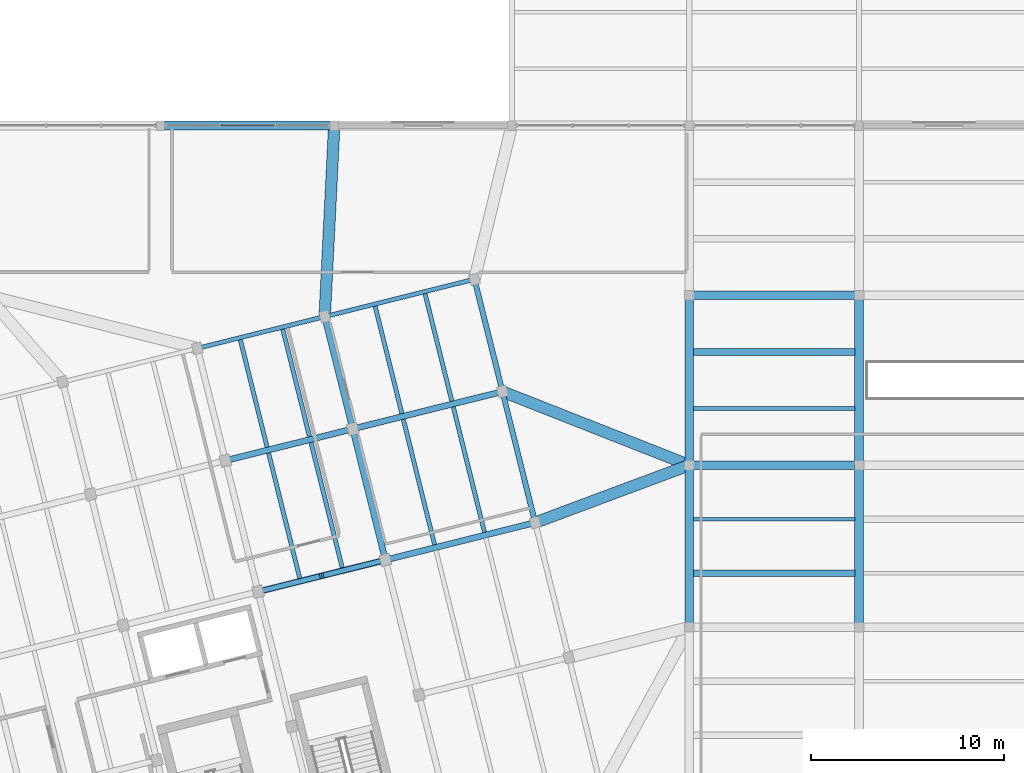
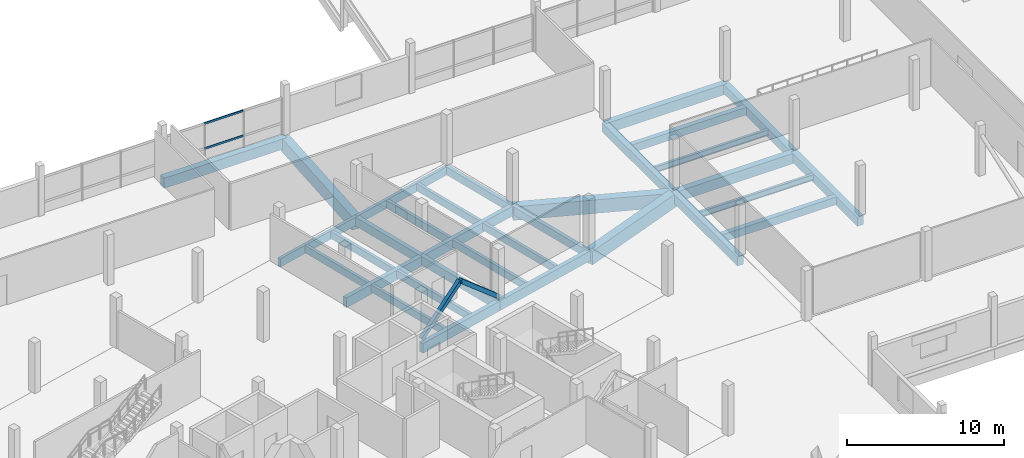
# One storey, part 38 of 62: 32 beams, 4 members, 1 element without a shape of its own.
"""IFC4 building model written with IfcOpenShell, lengths in metres."""

from ifc_helpers import new_model, si_unit, direction, frame, origin, origin_2d, place, context, subcontext, project, spatial, rectangle, hollow_rectangle, i_section, extrude, material, layer, layer_set, material_profile, profile_set, type_object, element, aggregate, save


model = new_model("IFC4")

# Units and contexts
model_context = context("Model", 3, precision=1e-05, world=origin(), true_north=direction((0.0, 1.0)))
body_context = subcontext(model_context, "Body", "Model", "MODEL_VIEW")
ifc_project = project(units=[si_unit("LENGTHUNIT", "METRE"), si_unit("AREAUNIT", "SQUARE_METRE"), si_unit("VOLUMEUNIT", "CUBIC_METRE"), si_unit("PLANEANGLEUNIT", "RADIAN"), si_unit("MASSUNIT", "GRAM", prefix="KILO")], contexts=[model_context])

# Site, building, storey
site_placement = place(None, origin())
site = spatial("IfcSite", under=ifc_project, at=site_placement, CompositionType="ELEMENT")
building_placement = place(site_placement, origin())
building = spatial("IfcBuilding", under=site, at=building_placement, Name="Meriwether Solvik Hall", CompositionType="ELEMENT")
storey_placement = place(building_placement, frame((0.0, 0.0, 14.39990234375)))
storey = spatial("IfcBuildingStorey", under=building, at=storey_placement, Name="L03", CompositionType="ELEMENT", Elevation=14.39990234375)

# Beams
ifc_material_1 = material(Name="Glulam Douglas-Fir 24F-V8 GL28h", Category="wood")
ifc_material_profile_1 = material_profile(ifc_material_1, rectangle(XDim=0.221923828125, YDim=0.64501953125, at=origin_2d()), Name="GLB-222X645")
ifc_profile_set_1 = profile_set([ifc_material_profile_1], Name="Glulam Douglas-Fir 24F-V8 GL28h")
beam_type_1 = type_object("IfcBeamType", Name="BM-GL-222X645", PredefinedType="SPANDREL", material=ifc_profile_set_1)
beam_1_placement = place(storey_placement, frame((88.707275390625, 81.254150390625, -0.5673828125), z_axis=(0.970298579828, 0.24191045034, 0.0), x_axis=(-0.24191045034, 0.970298579828, 0.0)))
element("IfcBeam", 1, at=beam_1_placement, inside=storey, type_object=beam_type_1, Name="Tower Girder TF:T5-T6 (L03)", PredefinedType="SPANDREL", context=body_context, shape_type="SweptSolid", body=[
    extrude(rectangle(XDim=0.221923828125, YDim=0.64501953125, at=origin_2d()), origin(), (0.0, 0.0, 1.0), 6.800048828125),
])
beam_2_placement = place(storey_placement, frame((95.305419921875, 82.899169921875, -0.5673828125), z_axis=(0.970289525963, 0.24194676234, 0.0), x_axis=(-0.24194676234, 0.970289525963, 0.0)))
element("IfcBeam", 2, at=beam_2_placement, inside=storey, type_object=beam_type_1, Name="Tower Girder TF:T6-T7 (L03)", PredefinedType="SPANDREL", context=body_context, shape_type="SweptSolid", body=[
    extrude(rectangle(XDim=0.221923828125, YDim=0.64501953125, at=origin_2d()), origin(), (0.0, 0.0, 1.0), 8.0),
])
ifc_material_2 = material(Name="Glulam Douglas-Fir 24F-V8 GL28h", Category="wood")
ifc_material_profile_2 = material_profile(ifc_material_2, rectangle(XDim=0.27294921875, YDim=0.610107421875, at=origin_2d()), Name="GLB-273X610")
ifc_profile_set_2 = profile_set([ifc_material_profile_2], Name="Glulam Douglas-Fir 24F-V8 GL28h")
beam_type_2 = type_object("IfcBeamType", Name="BM-GL-273X610", PredefinedType="SPANDREL", material=ifc_profile_set_2)
beam_3_placement = place(storey_placement, frame((106.212646484375, 72.220703125, -0.5498046875), z_axis=(-0.241903692719, 0.970300264582, 0.0), x_axis=(-0.970300264582, -0.241903692719, 0.0)))
element("IfcBeam", 3, at=beam_3_placement, inside=storey, type_object=beam_type_2, Name="Tower Girder T7:TD-TE (L03)", PredefinedType="SPANDREL", context=body_context, shape_type="SweptSolid", body=[
    extrude(rectangle(XDim=0.27294921875, YDim=0.610107421875, at=origin_2d()), origin(), (0.0, 0.0, 1.0), 7.000244140625),
])
beam_4_placement = place(storey_placement, frame((104.519287109375, 79.012939453125, -0.5498046875), z_axis=(-0.241941986192, 0.970290716908, 0.0), x_axis=(-0.970290716908, -0.241941986192, 0.0)))
element("IfcBeam", 4, at=beam_4_placement, inside=storey, type_object=beam_type_2, Name="Tower Girder T7:TE-TF (L03)", PredefinedType="SPANDREL", context=body_context, shape_type="SweptSolid", body=[
    extrude(rectangle(XDim=0.27294921875, YDim=0.610107421875, at=origin_2d()), origin(), (0.0, 0.0, 1.0), 6.0),
])
ifc_material_3 = material(Name="Glulam Douglas-Fir 24F-V8 GL28h", Category="wood")
ifc_material_profile_3 = material_profile(ifc_material_3, rectangle(XDim=0.31494140625, YDim=0.68505859375, at=origin_2d()), Name="GLB-315X685")
ifc_profile_set_3 = profile_set([ifc_material_profile_3], Name="Glulam Douglas-Fir 24F-V8 GL28h")
beam_type_3 = type_object("IfcBeamType", Name="BM-GL-315X685", PredefinedType="BEAM", material=ifc_profile_set_3)
beam_5_placement = place(storey_placement, frame((98.4501953125, 70.285400390625, -0.58740234375), z_axis=(-0.241911879182, 0.970298223594, 0.0), x_axis=(-0.970298223594, -0.241911879182, 0.0)))
element("IfcBeam", 5, at=beam_5_placement, inside=storey, type_object=beam_type_3, Name="Tower Girder T6:TD-TE (L03)", PredefinedType="BEAM", context=body_context, shape_type="SweptSolid", body=[
    extrude(rectangle(XDim=0.31494140625, YDim=0.68505859375, at=origin_2d()), origin(), (0.0, 0.0, 1.0), 7.0),
])
beam_6_placement = place(storey_placement, frame((96.7568359375, 77.077392578125, -0.58740234375), z_axis=(-0.241903677572, 0.970300268359, 0.0), x_axis=(-0.970300268359, -0.241903677572, 0.0)))
element("IfcBeam", 6, at=beam_6_placement, inside=storey, type_object=beam_type_3, Name="Tower Girder T6:TE-TF (L03)", PredefinedType="BEAM", context=body_context, shape_type="SweptSolid", body=[
    extrude(rectangle(XDim=0.31494140625, YDim=0.68505859375, at=origin_2d()), origin(), (0.0, 0.0, 1.0), 6.0),
])
ifc_material_4 = material(Name="Glulam Douglas-Fir 24F-V8 GL28h", Category="wood")
ifc_material_profile_4 = material_profile(ifc_material_4, rectangle(XDim=0.31494140625, YDim=0.760009765625, at=origin_2d()), Name="GLB-315X760")
ifc_profile_set_4 = profile_set([ifc_material_profile_4], Name="Glulam Douglas-Fir 24F-V8 GL28h")
beam_type_4 = type_object("IfcBeamType", Name="BM-GL-315X760", PredefinedType="BEAM", material=ifc_profile_set_4)
beam_7_placement = place(storey_placement, frame((91.852294921875, 68.640380859375, -0.625), z_axis=(0.970296478685, 0.241918877831, 0.0), x_axis=(-0.241918877831, 0.970296478685, 0.0)))
element("IfcBeam", 7, at=beam_7_placement, inside=storey, type_object=beam_type_4, Name="Tower Girder TD:T5-T6 (L03)", PredefinedType="BEAM", context=body_context, shape_type="SweptSolid", body=[
    extrude(rectangle(XDim=0.31494140625, YDim=0.760009765625, at=origin_2d()), origin(), (0.0, 0.0, 1.0), 6.7998046875),
])
beam_8_placement = place(storey_placement, frame((98.4501953125, 70.285400390625, -0.625), z_axis=(0.970298475929, 0.241910867076, 0.0), x_axis=(-0.241910867076, 0.970298475929, 0.0)))
element("IfcBeam", 8, at=beam_8_placement, inside=storey, type_object=beam_type_4, Name="Tower Girder TD:T6-T7 (L03)", PredefinedType="BEAM", context=body_context, shape_type="SweptSolid", body=[
    extrude(rectangle(XDim=0.31494140625, YDim=0.760009765625, at=origin_2d()), origin(), (0.0, 0.0, 1.0), 8.0),
])
beam_9_placement = place(storey_placement, frame((90.158935546875, 75.432373046875, -0.625), z_axis=(0.970296478685, 0.241918877831, 0.0), x_axis=(-0.241918877831, 0.970296478685, 0.0)))
element("IfcBeam", 9, at=beam_9_placement, inside=storey, type_object=beam_type_4, Name="Tower Girder TE:T5-T6 (L03)", PredefinedType="BEAM", context=body_context, shape_type="SweptSolid", body=[
    extrude(rectangle(XDim=0.31494140625, YDim=0.760009765625, at=origin_2d()), origin(), (0.0, 0.0, 1.0), 6.7998046875),
])
beam_10_placement = place(storey_placement, frame((96.7568359375, 77.077392578125, -0.625), z_axis=(0.970291312354, 0.241939598187, 0.0), x_axis=(-0.241939598187, 0.970291312354, 0.0)))
element("IfcBeam", 10, at=beam_10_placement, inside=storey, type_object=beam_type_4, Name="Tower Girder TE:T6-T7 (L03)", PredefinedType="BEAM", context=body_context, shape_type="SweptSolid", body=[
    extrude(rectangle(XDim=0.31494140625, YDim=0.760009765625, at=origin_2d()), origin(), (0.0, 0.0, 1.0), 8.000244140625),
])
ifc_material_5 = material(Name="Concrete C40/50", Category="concrete")
ifc_material_profile_5 = material_profile(ifc_material_5, rectangle(XDim=0.35009765625, YDim=0.60009765625, at=origin_2d()), Name="RCB-350X600")
ifc_profile_set_5 = profile_set([ifc_material_profile_5], Name="Concrete C40/50")
beam_type_5 = type_object("IfcBeamType", Name="BM-RC-350X600", PredefinedType="JOIST", material=ifc_profile_set_5)
for number, where, z_axis, x_axis, name in (
    (11, (114.419921875, 69.60009765625, -0.544921875), (1.0, 0.0, 0.0), (0.0, 1.0, 0.0), "Secondary Floor Joist 13/H_J1 (L03)"),
    (12, (114.419921875, 81.066650390625, -0.544921875), (1.0, 0.0, 0.0), (0.0, 1.0, 0.0), "Secondary Floor Joist 13/I_J2 (L03)"),
):
    element("IfcBeam", number, at=place(storey_placement, frame(where, z_axis=z_axis, x_axis=x_axis)), inside=storey, type_object=beam_type_5, Name=name, PredefinedType="JOIST", context=body_context, shape_type="SweptSolid", body=[
        extrude(rectangle(XDim=0.35009765625, YDim=0.60009765625, at=origin_2d()), origin(), (0.0, 0.0, 1.0), 8.360107421875),
    ])
ifc_material_6 = material(Name="Concrete C40/50", Category="concrete")
ifc_material_profile_6 = material_profile(ifc_material_6, rectangle(XDim=0.449951171875, YDim=0.699951171875, at=origin_2d()), Name="RCB-450X700")
ifc_profile_set_6 = profile_set([ifc_material_profile_6], Name="Concrete C40/50")
beam_type_6 = type_object("IfcBeamType", Name="BM-RC-450X700", PredefinedType="BEAM", material=ifc_profile_set_6)
beam_11_placement = place(storey_placement, frame((114.199951171875, 66.800048828125, -0.594970703125), z_axis=(0.0, 1.0, 0.0), x_axis=(-1.0, 0.0, 0.0)))
element("IfcBeam", 13, at=beam_11_placement, inside=storey, type_object=beam_type_6, Name="Podium Girder 13:H-I (L03)", PredefinedType="BEAM", context=body_context, shape_type="SweptSolid", body=[
    extrude(rectangle(XDim=0.449951171875, YDim=0.699951171875, at=origin_2d()), origin(), (0.0, 0.0, 1.0), 8.39990234375),
])
beam_12_placement = place(storey_placement, frame((114.199951171875, 75.199951171875, -0.594970703125), z_axis=(0.0, 1.0, 0.0), x_axis=(-1.0, 0.0, 0.0)))
element("IfcBeam", 14, at=beam_12_placement, inside=storey, type_object=beam_type_6, Name="Podium Girder 13:I-J (L03)", PredefinedType="BEAM", context=body_context, shape_type="SweptSolid", body=[
    extrude(rectangle(XDim=0.449951171875, YDim=0.699951171875, at=origin_2d()), origin(), (0.0, 0.0, 1.0), 8.800048828125),
])
beam_13_placement = place(storey_placement, frame((123.0, 66.800048828125, -0.594970703125), z_axis=(0.0, 1.0, 0.0), x_axis=(-1.0, 0.0, 0.0)))
element("IfcBeam", 15, at=beam_13_placement, inside=storey, type_object=beam_type_6, Name="Podium Girder 14:H-I (L03)", PredefinedType="BEAM", context=body_context, shape_type="SweptSolid", body=[
    extrude(rectangle(XDim=0.449951171875, YDim=0.699951171875, at=origin_2d()), origin(), (0.0, 0.0, 1.0), 8.39990234375),
])
beam_14_placement = place(storey_placement, frame((123.0, 75.199951171875, -0.594970703125), z_axis=(0.0, 1.0, 0.0), x_axis=(-1.0, 0.0, 0.0)))
element("IfcBeam", 16, at=beam_14_placement, inside=storey, type_object=beam_type_6, Name="Podium Girder 14:I-J (L03)", PredefinedType="BEAM", context=body_context, shape_type="SweptSolid", body=[
    extrude(rectangle(XDim=0.449951171875, YDim=0.699951171875, at=origin_2d()), origin(), (0.0, 0.0, 1.0), 8.800048828125),
])
ifc_material_7 = material(Name="Concrete C40/50", Category="concrete")
ifc_material_profile_7 = material_profile(ifc_material_7, rectangle(XDim=0.449951171875, YDim=0.800048828125, at=origin_2d()), Name="RCB-450X800")
ifc_profile_set_7 = profile_set([ifc_material_profile_7], Name="Concrete C40/50")
beam_type_7 = type_object("IfcBeamType", Name="BM-RC-450X800", PredefinedType="BEAM", material=ifc_profile_set_7)
for number, where, z_axis, x_axis, name in (
    (17, (114.199951171875, 75.199951171875, -0.64501953125), (1.0, 0.0, 0.0), (0.0, 1.0, 0.0), "Podium Girder I:13-14 (L03)"),
    (18, (114.199951171875, 84.0, -0.64501953125), (1.0, 0.0, 0.0), (0.0, 1.0, 0.0), "Podium Girder J:13-14 (L03)"),
):
    element("IfcBeam", number, at=place(storey_placement, frame(where, z_axis=z_axis, x_axis=x_axis)), inside=storey, type_object=beam_type_7, Name=name, PredefinedType="BEAM", context=body_context, shape_type="SweptSolid", body=[
        extrude(rectangle(XDim=0.449951171875, YDim=0.800048828125, at=origin_2d()), origin(), (0.0, 0.0, 1.0), 8.800048828125),
    ])
beam_15_placement = place(storey_placement, frame((86.800048828125, 92.800048828125, -0.64501953125), z_axis=(1.0, 0.0, 0.0), x_axis=(0.0, 1.0, 0.0)))
element("IfcBeam", 19, at=beam_15_placement, inside=storey, type_object=beam_type_7, Name="Podium Girder K:10-11 (L03)", PredefinedType="BEAM", context=body_context, shape_type="SweptSolid", body=[
    extrude(rectangle(XDim=0.449951171875, YDim=0.800048828125, at=origin_2d()), origin(), (0.0, 0.0, 1.0), 9.0),
])
ifc_material_8 = material(Name="Concrete C40/50", Category="concrete")
ifc_material_profile_8 = material_profile(ifc_material_8, rectangle(XDim=0.60009765625, YDim=1.050048828125, at=origin_2d()), Name="RCB-600X1050")
ifc_profile_set_8 = profile_set([ifc_material_profile_8], Name="Concrete C40/50")
beam_type_8 = type_object("IfcBeamType", Name="BM-RC-600X1050", PredefinedType="BEAM", material=ifc_profile_set_8)
beam_16_placement = place(storey_placement, frame((95.305419921875, 82.899169921875, -0.77001953125), z_axis=(0.049895854105, 0.998754426144, 0.0), x_axis=(-0.998754426144, 0.049895854105, 0.0)))
element("IfcBeam", 20, at=beam_16_placement, inside=storey, type_object=beam_type_8, Name="Diaphragm Collector Girder T6/TF-11/K (L03)", PredefinedType="BEAM", context=body_context, shape_type="SweptSolid", body=[
    extrude(rectangle(XDim=0.60009765625, YDim=1.050048828125, at=origin_2d()), origin(), (0.0, 0.0, 1.0), 9.913330078125),
])
beam_17_placement = place(storey_placement, frame((106.212646484375, 72.220703125, -0.77001953125), z_axis=(0.93694444662, 0.349478331156, 0.0), x_axis=(-0.349478331156, 0.93694444662, 0.0)))
element("IfcBeam", 21, at=beam_17_placement, inside=storey, type_object=beam_type_8, Name="Diaphragm Collector Girder T7/TD-13/I (L03)", PredefinedType="BEAM", context=body_context, shape_type="SweptSolid", body=[
    extrude(rectangle(XDim=0.60009765625, YDim=1.050048828125, at=origin_2d()), origin(), (0.0, 0.0, 1.0), 8.52490234375),
])
beam_18_placement = place(storey_placement, frame((104.519287109375, 79.012939453125, -0.77001953125), z_axis=(0.930428275018, -0.366474044165, 0.0), x_axis=(0.366474044165, 0.930428275018, 0.0)))
element("IfcBeam", 22, at=beam_18_placement, inside=storey, type_object=beam_type_8, Name="Diaphragm Collector Girder T7/TE-13/I (L03)", PredefinedType="BEAM", context=body_context, shape_type="SweptSolid", body=[
    extrude(rectangle(XDim=0.60009765625, YDim=1.050048828125, at=origin_2d()), origin(), (0.0, 0.0, 1.0), 10.404541015625),
])
ifc_material_9 = material(Name="Steel A992 Grade 50", Category="steel")
ifc_material_profile_9 = material_profile(ifc_material_9, i_section(OverallWidth=0.19091796875, OverallDepth=0.45703125, WebThickness=0.009033203125, FlangeThickness=0.014404296875, at=origin_2d()), Name="W18X50")
ifc_profile_set_9 = profile_set([ifc_material_profile_9], Name="Steel A992 Grade 50")
beam_type_9 = type_object("IfcBeamType", Name="BM-STL-W18X50", PredefinedType="JOIST", material=ifc_profile_set_9)
for number, where, z_axis, x_axis, name in (
    (23, (114.419921875, 72.39990234375, -0.473388671875), (1.0, 0.0, 0.0), (0.0, 1.0, 0.0), "Secondary Floor Joist 13/H_J2 (L03)"),
    (24, (114.419921875, 78.13330078125, -0.473388671875), (1.0, 0.0, 0.0), (0.0, 1.0, 0.0), "Secondary Floor Joist 13/I_J1 (L03)"),
):
    element("IfcBeam", number, at=place(storey_placement, frame(where, z_axis=z_axis, x_axis=x_axis)), inside=storey, type_object=beam_type_9, Name=name, PredefinedType="JOIST", context=body_context, shape_type="SweptSolid", body=[
        extrude(i_section(OverallWidth=0.19091796875, OverallDepth=0.45703125, WebThickness=0.009033203125, FlangeThickness=0.014404296875, at=origin_2d()), origin(), (0.0, 0.0, 1.0), 8.360107421875),
    ])

# Curtain wall, members
ifc_material_10 = material(Name="Thermally Broken Anodised Aluminium 6063-T6 and Low-E Glass", Category="aluminium")
ifc_layer = layer(ifc_material_10, 0.179931640625)
ifc_layer_set = layer_set([ifc_layer], Name="Thermally Broken Anodised Aluminium 6063-T6 and Low-E Glass")
curtain_wall_type = type_object("IfcCurtainWallType", Name="CW-UNIT-E", PredefinedType="USERDEFINED", material=ifc_layer_set)
curtain_wall_placement = place(storey_placement, origin())
curtain_wall = element("IfcCurtainWall", 25, at=curtain_wall_placement, inside=storey, type_object=curtain_wall_type, Name="Curtain Wall wing_XK_10_15 (L03)", ObjectType="UNITISED CURTAIN WALL", PredefinedType="USERDEFINED")
ifc_material_11 = material(Name="Anodised Aluminium 6063-T6", Category="aluminium")
ifc_material_profile_10 = material_profile(ifc_material_11, hollow_rectangle(XDim=0.070068359375, YDim=0.14990234375, WallThickness=0.0048828125, at=origin_2d()), Name="CWT-70X150")
ifc_profile_set_10 = profile_set([ifc_material_profile_10], Name="Anodised Aluminium 6063-T6")
member_type_1 = type_object("IfcMemberType", Name="CW-TRN-70X150", PredefinedType="USERDEFINED", material=ifc_profile_set_10)
member_1_placement = place(storey_placement, frame((89.8740234375, 92.800048828125, 0.856689453125), z_axis=(1.0, 0.0, 0.0), x_axis=(0.0, 1.0, 0.0)))
member_1 = element("IfcMember", 26, at=member_1_placement, type_object=member_type_1, Name="Curtain Wall Transom 2-sill", ObjectType="TRANSOM", PredefinedType="USERDEFINED", context=body_context, shape_type="SweptSolid", body=[
    extrude(hollow_rectangle(XDim=0.070068359375, YDim=0.14990234375, WallThickness=0.0048828125, at=origin_2d()), origin(), (0.0, 0.0, 1.0), 2.85205078125),
])
member_2_placement = place(storey_placement, frame((89.8740234375, 92.800048828125, 2.795166015625), z_axis=(1.0, 0.0, 0.0), x_axis=(0.0, 1.0, 0.0)))
member_2 = element("IfcMember", 27, at=member_2_placement, type_object=member_type_1, Name="Curtain Wall Transom 2-head", ObjectType="TRANSOM", PredefinedType="USERDEFINED", context=body_context, shape_type="SweptSolid", body=[
    extrude(hollow_rectangle(XDim=0.070068359375, YDim=0.14990234375, WallThickness=0.0048828125, at=origin_2d()), origin(), (0.0, 0.0, 1.0), 2.85205078125),
])
aggregate(curtain_wall, [member_1, member_2])

# Beams
ifc_material_12 = material(Name="Glulam Douglas-Fir 24F-V8 GL28h", Category="wood")
ifc_material_profile_11 = material_profile(ifc_material_12, rectangle(XDim=0.221923828125, YDim=0.570068359375, at=origin_2d()), Name="GLJ-222X570")
ifc_profile_set_11 = profile_set([ifc_material_profile_11], Name="Glulam Douglas-Fir 24F-V8 GL28h")
beam_type_10 = type_object("IfcBeamType", Name="JST-GL-222X570", PredefinedType="JOIST", material=ifc_profile_set_11)
for number, where, z_axis, x_axis, name in (
    (28, (94.0146484375, 69.336669921875, -0.52978515625), (-0.241917792922, 0.970296749179, 0.0), (-0.970296749179, -0.241917792922, 0.0), "Glulam Floor Joist T5/TD-J1 (L03)"),
    (29, (96.214111328125, 69.885009765625, -0.52978515625), (-0.241952124656, 0.970288188825, 0.0), (-0.970288188825, -0.241952124656, 0.0), "Glulam Floor Joist T5/TD-J2 (L03)"),
):
    element("IfcBeam", number, at=place(storey_placement, frame(where, z_axis=z_axis, x_axis=x_axis)), inside=storey, type_object=beam_type_10, Name=name, PredefinedType="JOIST", context=body_context, shape_type="SweptSolid", body=[
        extrude(rectangle(XDim=0.221923828125, YDim=0.570068359375, at=origin_2d()), origin(), (0.0, 0.0, 1.0), 6.695068359375),
    ])
for number, where, z_axis, x_axis, name in (
    (30, (92.3212890625, 76.128662109375, -0.52978515625), (-0.241905253991, 0.970299875343, 0.0), (-0.970299875343, -0.241905253991, 0.0), "Glulam Floor Joist T5/TE-J1 (L03)"),
    (31, (94.5205078125, 76.677001953125, -0.52978515625), (-0.241905253991, 0.970299875343, 0.0), (-0.970299875343, -0.241905253991, 0.0), "Glulam Floor Joist T5/TE-J2 (L03)"),
):
    element("IfcBeam", number, at=place(storey_placement, frame(where, z_axis=z_axis, x_axis=x_axis)), inside=storey, type_object=beam_type_10, Name=name, PredefinedType="JOIST", context=body_context, shape_type="SweptSolid", body=[
        extrude(rectangle(XDim=0.221923828125, YDim=0.570068359375, at=origin_2d()), origin(), (0.0, 0.0, 1.0), 5.741455078125),
    ])
for number, where, z_axis, x_axis, name in (
    (32, (101.0009765625, 71.07861328125, -0.52978515625), (-0.241952124656, 0.970288188825, 0.0), (-0.970288188825, -0.241952124656, 0.0), "Glulam Floor Joist T6/TD-J1 (L03)"),
    (33, (103.58837890625, 71.7236328125, -0.52978515625), (-0.241952124656, 0.970288188825, 0.0), (-0.970288188825, -0.241952124656, 0.0), "Glulam Floor Joist T6/TD-J2 (L03)"),
):
    element("IfcBeam", number, at=place(storey_placement, frame(where, z_axis=z_axis, x_axis=x_axis)), inside=storey, type_object=beam_type_10, Name=name, PredefinedType="JOIST", context=body_context, shape_type="SweptSolid", body=[
        extrude(rectangle(XDim=0.221923828125, YDim=0.570068359375, at=origin_2d()), origin(), (0.0, 0.0, 1.0), 6.695068359375),
    ])
for number, where, z_axis, x_axis, name in (
    (34, (99.307373046875, 77.87060546875, -0.52978515625), (-0.241915235082, 0.970297386905, 0.0), (-0.970297386905, -0.241915235082, 0.0), "Glulam Floor Joist T6/TE-J1 (L03)"),
    (35, (101.894775390625, 78.515625, -0.52978515625), (-0.241905253991, 0.970299875343, 0.0), (-0.970299875343, -0.241905253991, 0.0), "Glulam Floor Joist T6/TE-J2 (L03)"),
):
    element("IfcBeam", number, at=place(storey_placement, frame(where, z_axis=z_axis, x_axis=x_axis)), inside=storey, type_object=beam_type_10, Name=name, PredefinedType="JOIST", context=body_context, shape_type="SweptSolid", body=[
        extrude(rectangle(XDim=0.221923828125, YDim=0.570068359375, at=origin_2d()), origin(), (0.0, 0.0, 1.0), 5.741455078125),
    ])

# Members
ifc_material_13 = material(Name="Glulam Douglas-Fir 24F-V8 GL28h", Category="wood")
ifc_material_profile_12 = material_profile(ifc_material_13, rectangle(XDim=0.27294921875, YDim=0.304931640625, at=origin_2d()), Name="GLM-273X305")
ifc_profile_set_12 = profile_set([ifc_material_profile_12], Name="Glulam Douglas-Fir 24F-V8 GL28h")
member_type_2 = type_object("IfcMemberType", Name="MEM-BR-GL273", PredefinedType="BRACE", material=ifc_profile_set_12)
member_3_placement = place(storey_placement, frame((91.852294921875, 68.640380859375, 0.050048828125), z_axis=(0.739849577437, 0.184455948078, 0.646991967481), x_axis=(-0.24191045034, 0.970298579828, 0.0)))
element("IfcMember", 36, at=member_3_placement, inside=storey, type_object=member_type_2, Name="Tower Chevron Brace L03-B4A", PredefinedType="BRACE", context=body_context, shape_type="SweptSolid", body=[
    extrude(rectangle(XDim=0.27294921875, YDim=0.304931640625, at=origin_2d()), origin(), (0.0, 0.0, 1.0), 4.459228515625),
])
member_4_placement = place(storey_placement, frame((98.4501953125, 70.285400390625, 0.050048828125), z_axis=(-0.739824794414, -0.184463420099, 0.647018176109), x_axis=(0.241927305891, -0.970294377323, 0.0)))
element("IfcMember", 37, at=member_4_placement, inside=storey, type_object=member_type_2, Name="Tower Chevron Brace L03-B4B", PredefinedType="BRACE", context=body_context, shape_type="SweptSolid", body=[
    extrude(rectangle(XDim=0.27294921875, YDim=0.304931640625, at=origin_2d()), origin(), (0.0, 0.0, 1.0), 4.458984375),
])

save(model, "model.ifc")
